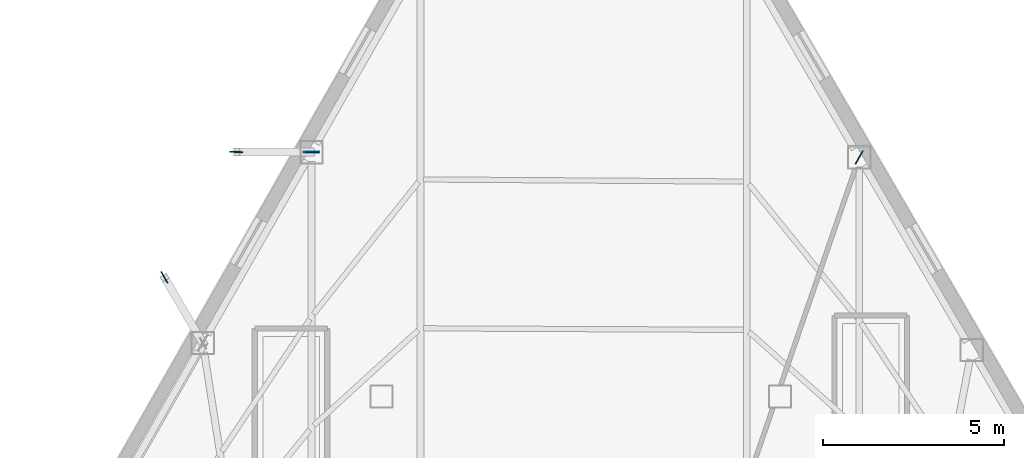
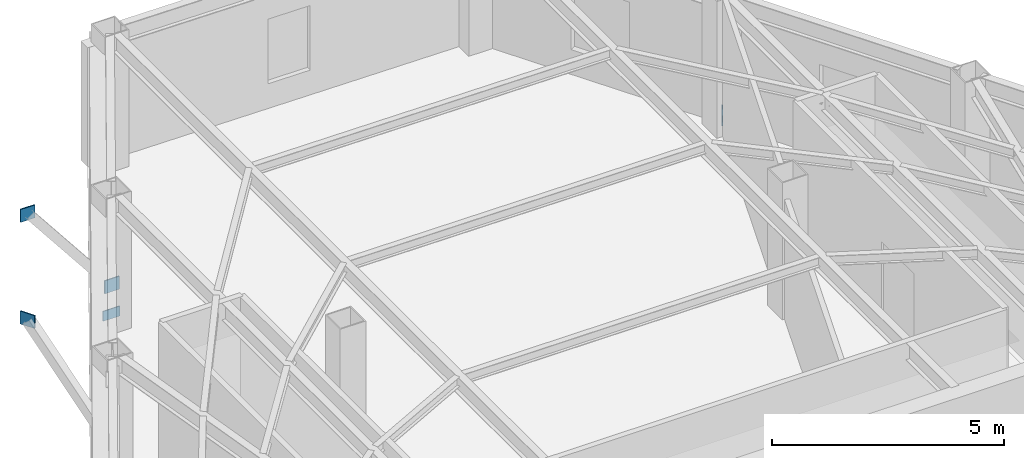
# One storey, part 6 of 10: 5 plates.
"""IFC4 building model written with IfcOpenShell, lengths in metres."""

from ifc_helpers import new_model, si_unit, direction, frame, origin, origin_2d, place, context, subcontext, project, spatial, rectangle, extrude, material, layer, layer_set, type_object, element, save


model = new_model("IFC4")

# Units and contexts
model_context = context("Model", 3, precision=1e-05, world=origin(), true_north=direction((0.0, 1.0)))
body_context = subcontext(model_context, "Body", "Model", "MODEL_VIEW")
ifc_project = project(units=[si_unit("LENGTHUNIT", "METRE"), si_unit("AREAUNIT", "SQUARE_METRE"), si_unit("VOLUMEUNIT", "CUBIC_METRE"), si_unit("PLANEANGLEUNIT", "RADIAN"), si_unit("MASSUNIT", "GRAM", prefix="KILO")], contexts=[model_context])

# Site, building, storey
site_placement = place(None, origin())
site = spatial("IfcSite", under=ifc_project, at=site_placement, CompositionType="ELEMENT")
building_placement = place(site_placement, origin())
building = spatial("IfcBuilding", under=site, at=building_placement, Name="Kavelnor Concourse Tower", CompositionType="ELEMENT")
storey_placement = place(building_placement, frame((0.0, 0.0, 188.10009765625)))
storey = spatial("IfcBuildingStorey", under=building, at=storey_placement, Name="L47", CompositionType="ELEMENT", Elevation=188.10009765625)

# Plates
ifc_material = material(Name="Steel Grade 350", Category="steel")
ifc_layer_1 = layer(ifc_material, 0.028076171875, Name="Steel Grade 350")
ifc_layer_set_1 = layer_set([ifc_layer_1], Name="Steel Grade 350")
plate_type_1 = type_object("IfcPlateType", Name="PL-GUSSET-FOLD", PredefinedType="USERDEFINED", material=ifc_layer_set_1)
for number, where, z_axis, x_axis, name in (
    (1, (30.577880859375, 38.547119140625, 0.8798828125), (0.0, 0.0, 1.0), (-0.999995598282, 0.002967055375, 0.0), "L47 Balcony Strut Gusset GP4 1-A End Gusset A"),
    (2, (28.489501953125, 38.553466796875, 3.48486328125), (0.0, 0.0, 1.0), (-0.999995598282, 0.002967055375, 0.0), "L47 Balcony Strut Gusset GP4 1-A End Gusset B"),
    (3, (26.499755859375, 35.097412109375, 3.48486328125), (0.0, 0.0, 1.0), (-0.504828974973, 0.863219384645, 0.0), "L47 Balcony Strut Gusset GP4 1-B End Gusset B"),
):
    element("IfcPlate", number, at=place(storey_placement, frame(where, z_axis=z_axis, x_axis=x_axis)), inside=storey, type_object=plate_type_1, Name=name, ObjectType="GUSSET_PLATE", PredefinedType="USERDEFINED", context=body_context, shape_type="SweptSolid", body=[
        extrude(rectangle(XDim=0.360107421875, YDim=0.028076171875, at=origin_2d()), origin(), (0.0, 0.0, 1.0), 0.340087890625),
    ])
ifc_layer_2 = layer(ifc_material, 0.02490234375, Name="Steel Grade 350")
ifc_layer_set_2 = layer_set([ifc_layer_2], Name="Steel Grade 350")
plate_type_2 = type_object("IfcPlateType", Name="PL-SPLICE-FLANGE", PredefinedType="SHEET", material=ifc_layer_set_2)
for number, where, z_axis, x_axis, name in (
    (4, (30.56591796875, 38.547119140625, 0.169921875), (0.0, 0.0, 1.0), (1.0, 0.0, 0.0), "L47 Column Flange Splice Plate F0-B1"),
    (5, (45.684326171875, 38.406005859375, 0.169921875), (0.0, 0.0, 1.0), (-0.5, -0.866025403784, 0.0), "L47 Column Flange Splice Plate F2-B5"),
):
    element("IfcPlate", number, at=place(storey_placement, frame(where, z_axis=z_axis, x_axis=x_axis)), inside=storey, type_object=plate_type_2, Name=name, PredefinedType="SHEET", context=body_context, shape_type="SweptSolid", body=[
        extrude(rectangle(XDim=0.419921875, YDim=0.02490234375, at=origin_2d()), origin(), (0.0, 0.0, 1.0), 0.260009765625),
    ])

save(model, "model.ifc")
